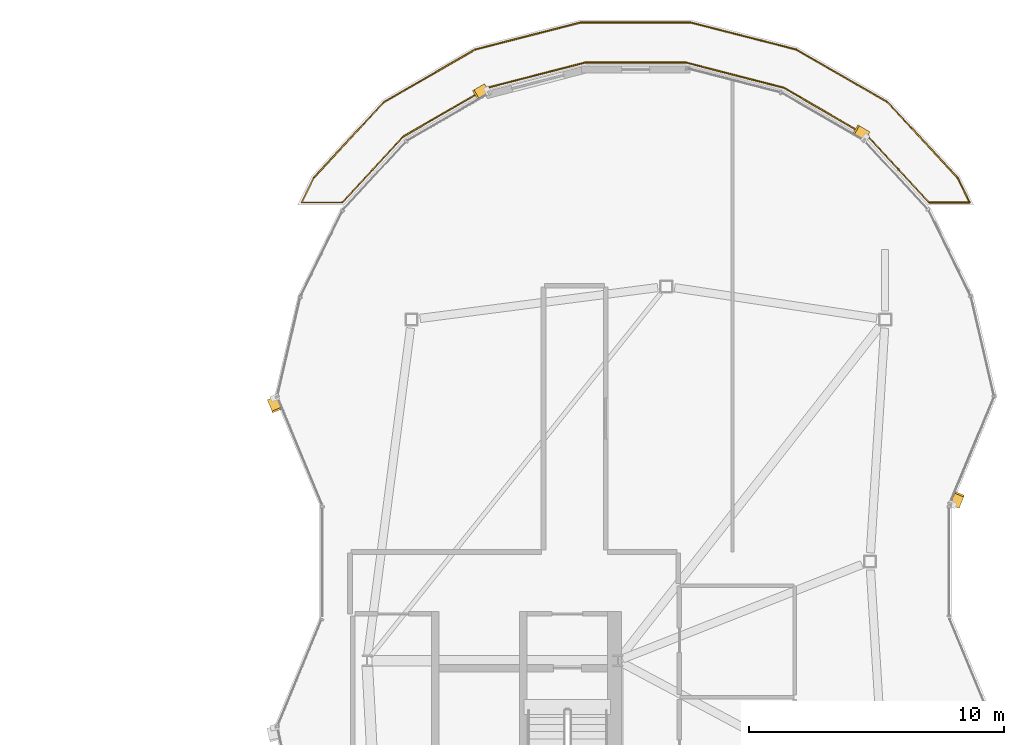
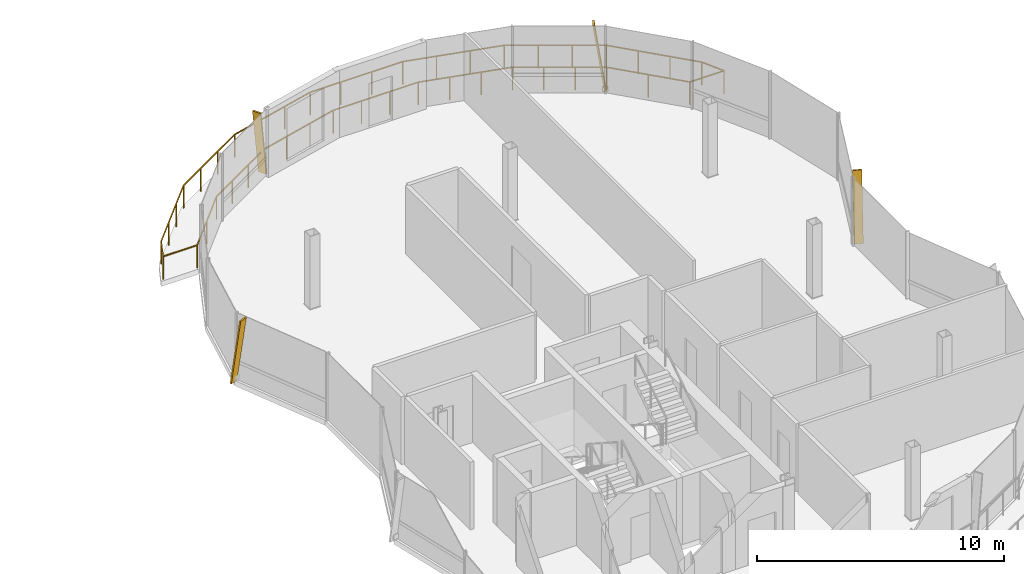
# One storey, part 20 of 20: 9 railings, 4 shading devices.
"""IFC4 building model written with IfcOpenShell, lengths in metres."""

from ifc_helpers import new_model, si_unit, direction, frame, origin, origin_2d, place, context, subcontext, project, spatial, rectangle, extrude, material, material_profile, profile_set, type_object, element, save


model = new_model("IFC4")

# Units and contexts
model_context = context("Model", 3, precision=1e-05, world=origin(), true_north=direction((0.0, 1.0)))
body_context = subcontext(model_context, "Body", "Model", "MODEL_VIEW")
ifc_project = project(units=[si_unit("LENGTHUNIT", "METRE"), si_unit("AREAUNIT", "SQUARE_METRE"), si_unit("VOLUMEUNIT", "CUBIC_METRE"), si_unit("PLANEANGLEUNIT", "RADIAN"), si_unit("MASSUNIT", "GRAM", prefix="KILO"), si_unit("THERMODYNAMICTEMPERATUREUNIT", "KELVIN"), si_unit("POWERUNIT", "WATT")], contexts=[model_context])

# Site, building, storey
site_placement = place(None, origin())
site = spatial("IfcSite", under=ifc_project, at=site_placement, CompositionType="ELEMENT")
building_placement = place(site_placement, origin())
building = spatial("IfcBuilding", under=site, at=building_placement, Name="Cundina Bronze Exchange", CompositionType="ELEMENT")
storey_placement = place(building_placement, frame((0.0, 0.0, 282.800048828125)))
storey = spatial("IfcBuildingStorey", under=building, at=storey_placement, Name="L75", CompositionType="ELEMENT", Elevation=282.800048828125)

# Railings
ifc_material_1 = material(Name="Heat-Strengthened Solar-Control Bronze Safety Glass 28mm", Category="glass")
railing_type = type_object("IfcRailingType", Name="RLG-BAL-1150", PredefinedType="BALUSTRADE", material=ifc_material_1)
railing_1_placement = place(storey_placement, frame((19.359375, 15.07470703125, 0.0)))
element("IfcRailing", 1, at=railing_1_placement, inside=storey, type_object=railing_type, Name="L75 Perimeter Safety Guardrail 01", PredefinedType="BALUSTRADE", context=body_context, shape_type="SweptSolid", body=[
    extrude(rectangle(XDim=0.048095703125, YDim=0.048095703125, at=origin_2d()), frame((0.0, 0.0, 1.1259765625), z_axis=(0.680478858048, 0.732767714729, 0.0), x_axis=(-0.732767714729, 0.680478858048, 0.0)), (0.0, 0.0, 1.0), 4.048095703125),
    extrude(rectangle(XDim=0.048095703125, YDim=0.048095703125, at=origin_2d()), frame((2.754638671875, 2.96630859375, 1.1259765625), z_axis=(0.866464594672, 0.499238526338, 0.0), x_axis=(-0.499238526338, 0.866464594672, 0.0)), (0.0, 0.0, 1.0), 4.13525390625),
    extrude(rectangle(XDim=0.0419921875, YDim=0.0419921875, at=origin_2d()), origin(), (0.0, 0.0, 1.0), 1.101806640625),
    extrude(rectangle(XDim=0.0419921875, YDim=0.0419921875, at=origin_2d()), frame((0.918212890625, 0.98876953125, 0.0)), (0.0, 0.0, 1.0), 1.101806640625),
    extrude(rectangle(XDim=0.0419921875, YDim=0.0419921875, at=origin_2d()), frame((1.83642578125, 1.9775390625, 0.0)), (0.0, 0.0, 1.0), 1.101806640625),
    extrude(rectangle(XDim=0.0419921875, YDim=0.0419921875, at=origin_2d()), frame((2.754638671875, 2.96630859375, 0.0)), (0.0, 0.0, 1.0), 1.101806640625),
    extrude(rectangle(XDim=0.0419921875, YDim=0.0419921875, at=origin_2d()), frame((3.948974609375, 3.654541015625, 0.0)), (0.0, 0.0, 1.0), 1.101806640625),
    extrude(rectangle(XDim=0.0419921875, YDim=0.0419921875, at=origin_2d()), frame((5.143310546875, 4.342529296875, 0.0)), (0.0, 0.0, 1.0), 1.101806640625),
    extrude(rectangle(XDim=0.0419921875, YDim=0.0419921875, at=origin_2d()), frame((6.337646484375, 5.03076171875, 0.0)), (0.0, 0.0, 1.0), 1.101806640625),
])
railing_2_placement = place(storey_placement, frame((25.697021484375, 20.10546875, 0.0)))
element("IfcRailing", 2, at=railing_2_placement, inside=storey, type_object=railing_type, Name="L75 Perimeter Safety Guardrail 02", PredefinedType="BALUSTRADE", context=body_context, shape_type="SweptSolid", body=[
    extrude(rectangle(XDim=0.048095703125, YDim=0.048095703125, at=origin_2d()), frame((0.0, 0.0, 1.1259765625), z_axis=(0.968741395097, 0.248072790578, 0.0), x_axis=(-0.248072790578, 0.968741395097, 0.0)), (0.0, 0.0, 1.0), 4.271240234375),
    extrude(rectangle(XDim=0.048095703125, YDim=0.048095703125, at=origin_2d()), frame((4.1376953125, 1.0595703125, 1.1259765625), z_axis=(1.0, 0.0, 0.0), x_axis=(0.0, 1.0, 0.0)), (0.0, 0.0, 1.0), 4.33056640625),
    extrude(rectangle(XDim=0.0419921875, YDim=0.0419921875, at=origin_2d()), origin(), (0.0, 0.0, 1.0), 1.101806640625),
    extrude(rectangle(XDim=0.0419921875, YDim=0.0419921875, at=origin_2d()), frame((1.379150390625, 0.353271484375, 0.0)), (0.0, 0.0, 1.0), 1.101806640625),
    extrude(rectangle(XDim=0.0419921875, YDim=0.0419921875, at=origin_2d()), frame((2.758544921875, 0.706298828125, 0.0)), (0.0, 0.0, 1.0), 1.101806640625),
    extrude(rectangle(XDim=0.0419921875, YDim=0.0419921875, at=origin_2d()), frame((4.1376953125, 1.0595703125, 0.0)), (0.0, 0.0, 1.0), 1.101806640625),
    extrude(rectangle(XDim=0.0419921875, YDim=0.0419921875, at=origin_2d()), frame((5.581298828125, 1.0595703125, 0.0)), (0.0, 0.0, 1.0), 1.101806640625),
    extrude(rectangle(XDim=0.0419921875, YDim=0.0419921875, at=origin_2d()), frame((7.024658203125, 1.0595703125, 0.0)), (0.0, 0.0, 1.0), 1.101806640625),
    extrude(rectangle(XDim=0.0419921875, YDim=0.0419921875, at=origin_2d()), frame((8.46826171875, 1.0595703125, 0.0)), (0.0, 0.0, 1.0), 1.101806640625),
])
railing_3_placement = place(storey_placement, frame((34.165283203125, 21.1650390625, 0.0)))
element("IfcRailing", 3, at=railing_3_placement, inside=storey, type_object=railing_type, Name="L75 Perimeter Safety Guardrail 03", PredefinedType="BALUSTRADE", context=body_context, shape_type="SweptSolid", body=[
    extrude(rectangle(XDim=0.048095703125, YDim=0.048095703125, at=origin_2d()), frame((0.0, 0.0, 1.1259765625), z_axis=(0.968741395097, -0.248072790578, 0.0), x_axis=(0.248072790578, 0.968741395097, 0.0)), (0.0, 0.0, 1.0), 4.271240234375),
    extrude(rectangle(XDim=0.048095703125, YDim=0.048095703125, at=origin_2d()), frame((4.1376953125, -1.0595703125, 1.1259765625), z_axis=(0.866464594672, -0.499238526338, 0.0), x_axis=(0.499238526338, 0.866464594672, 0.0)), (0.0, 0.0, 1.0), 4.13525390625),
    extrude(rectangle(XDim=0.0419921875, YDim=0.0419921875, at=origin_2d()), origin(), (0.0, 0.0, 1.0), 1.101806640625),
    extrude(rectangle(XDim=0.0419921875, YDim=0.0419921875, at=origin_2d()), frame((1.379150390625, -0.353271484375, 0.0)), (0.0, 0.0, 1.0), 1.101806640625),
    extrude(rectangle(XDim=0.0419921875, YDim=0.0419921875, at=origin_2d()), frame((2.758544921875, -0.706298828125, 0.0)), (0.0, 0.0, 1.0), 1.101806640625),
    extrude(rectangle(XDim=0.0419921875, YDim=0.0419921875, at=origin_2d()), frame((4.1376953125, -1.0595703125, 0.0)), (0.0, 0.0, 1.0), 1.101806640625),
    extrude(rectangle(XDim=0.0419921875, YDim=0.0419921875, at=origin_2d()), frame((5.33203125, -1.747802734375, 0.0)), (0.0, 0.0, 1.0), 1.101806640625),
    extrude(rectangle(XDim=0.0419921875, YDim=0.0419921875, at=origin_2d()), frame((6.5263671875, -2.435791015625, 0.0)), (0.0, 0.0, 1.0), 1.101806640625),
    extrude(rectangle(XDim=0.0419921875, YDim=0.0419921875, at=origin_2d()), frame((7.720703125, -3.1240234375, 0.0)), (0.0, 0.0, 1.0), 1.101806640625),
])
railing_4_placement = place(storey_placement, frame((41.885986328125, 18.041015625, 0.0)))
element("IfcRailing", 4, at=railing_4_placement, inside=storey, type_object=railing_type, Name="L75 Perimeter Safety Guardrail 04", PredefinedType="BALUSTRADE", context=body_context, shape_type="SweptSolid", body=[
    extrude(rectangle(XDim=0.048095703125, YDim=0.048095703125, at=origin_2d()), frame((0.0, 0.0, 1.1259765625), z_axis=(0.680478858048, -0.732767714729, 0.0), x_axis=(0.732767714729, 0.680478858048, 0.0)), (0.0, 0.0, 1.0), 4.048095703125),
    extrude(rectangle(XDim=0.048095703125, YDim=0.048095703125, at=origin_2d()), frame((2.754638671875, -2.96630859375, 1.1259765625), z_axis=(0.43927470941, -0.898352786868, 0.0), x_axis=(0.898352786868, 0.43927470941, 0.0)), (0.0, 0.0, 1.0), 1.0849609375),
    extrude(rectangle(XDim=0.0419921875, YDim=0.0419921875, at=origin_2d()), origin(), (0.0, 0.0, 1.0), 1.101806640625),
    extrude(rectangle(XDim=0.0419921875, YDim=0.0419921875, at=origin_2d()), frame((0.918212890625, -0.98876953125, 0.0)), (0.0, 0.0, 1.0), 1.101806640625),
    extrude(rectangle(XDim=0.0419921875, YDim=0.0419921875, at=origin_2d()), frame((1.83642578125, -1.9775390625, 0.0)), (0.0, 0.0, 1.0), 1.101806640625),
    extrude(rectangle(XDim=0.0419921875, YDim=0.0419921875, at=origin_2d()), frame((2.754638671875, -2.96630859375, 0.0)), (0.0, 0.0, 1.0), 1.101806640625),
    extrude(rectangle(XDim=0.0419921875, YDim=0.0419921875, at=origin_2d()), frame((3.231201171875, -3.94091796875, 0.0)), (0.0, 0.0, 1.0), 1.101806640625),
])
railing_5_placement = place(storey_placement, frame((45.1171875, 14.10009765625, 0.0)))
element("IfcRailing", 5, at=railing_5_placement, inside=storey, type_object=railing_type, Name="L75 Perimeter Safety Guardrail 05", PredefinedType="BALUSTRADE", context=body_context, shape_type="SweptSolid", body=[
    extrude(rectangle(XDim=0.048095703125, YDim=0.048095703125, at=origin_2d()), frame((0.0, 0.0, 1.1259765625), z_axis=(-1.0, 0.0, 0.0), x_axis=(0.0, -1.0, 0.0)), (0.0, 0.0, 1.0), 1.595458984375),
    extrude(rectangle(XDim=0.048095703125, YDim=0.048095703125, at=origin_2d()), frame((-1.595458984375, 0.0, 1.1259765625), z_axis=(-0.679395599719, 0.733772184729, 0.0), x_axis=(-0.733772184729, -0.679395599719, 0.0)), (0.0, 0.0, 1.0), 3.5244140625),
    extrude(rectangle(XDim=0.0419921875, YDim=0.0419921875, at=origin_2d()), origin(), (0.0, 0.0, 1.0), 1.101806640625),
    extrude(rectangle(XDim=0.0419921875, YDim=0.0419921875, at=origin_2d()), frame((-1.595458984375, 0.0, 0.0)), (0.0, 0.0, 1.0), 1.101806640625),
    extrude(rectangle(XDim=0.0419921875, YDim=0.0419921875, at=origin_2d()), frame((-2.792724609375, 1.29296875, 0.0)), (0.0, 0.0, 1.0), 1.101806640625),
    extrude(rectangle(XDim=0.0419921875, YDim=0.0419921875, at=origin_2d()), frame((-3.989990234375, 2.586181640625, 0.0)), (0.0, 0.0, 1.0), 1.101806640625),
])
railing_6_placement = place(storey_placement, frame((41.127197265625, 16.686279296875, 0.0)))
element("IfcRailing", 6, at=railing_6_placement, inside=storey, type_object=railing_type, Name="L75 Perimeter Safety Guardrail 06", PredefinedType="BALUSTRADE", context=body_context, shape_type="SweptSolid", body=[
    extrude(rectangle(XDim=0.048095703125, YDim=0.048095703125, at=origin_2d()), frame((0.0, 0.0, 1.1259765625), z_axis=(-0.86517535854, 0.501469439721, 0.0), x_axis=(-0.501469439721, -0.86517535854, 0.0)), (0.0, 0.0, 1.0), 3.82080078125),
    extrude(rectangle(XDim=0.048095703125, YDim=0.048095703125, at=origin_2d()), frame((-3.3056640625, 1.916015625, 1.1259765625), z_axis=(-0.968310500269, 0.249749424563, 0.0), x_axis=(-0.249749424563, -0.968310500269, 0.0)), (0.0, 0.0, 1.0), 3.9619140625),
    extrude(rectangle(XDim=0.0419921875, YDim=0.0419921875, at=origin_2d()), origin(), (0.0, 0.0, 1.0), 1.101806640625),
    extrude(rectangle(XDim=0.0419921875, YDim=0.0419921875, at=origin_2d()), frame((-1.101806640625, 0.638671875, 0.0)), (0.0, 0.0, 1.0), 1.101806640625),
    extrude(rectangle(XDim=0.0419921875, YDim=0.0419921875, at=origin_2d()), frame((-2.203857421875, 1.27734375, 0.0)), (0.0, 0.0, 1.0), 1.101806640625),
    extrude(rectangle(XDim=0.0419921875, YDim=0.0419921875, at=origin_2d()), frame((-3.3056640625, 1.916015625, 0.0)), (0.0, 0.0, 1.0), 1.101806640625),
    extrude(rectangle(XDim=0.0419921875, YDim=0.0419921875, at=origin_2d()), frame((-4.58447265625, 2.245849609375, 0.0)), (0.0, 0.0, 1.0), 1.101806640625),
    extrude(rectangle(XDim=0.0419921875, YDim=0.0419921875, at=origin_2d()), frame((-5.86328125, 2.57568359375, 0.0)), (0.0, 0.0, 1.0), 1.101806640625),
    extrude(rectangle(XDim=0.0419921875, YDim=0.0419921875, at=origin_2d()), frame((-7.14208984375, 2.905517578125, 0.0)), (0.0, 0.0, 1.0), 1.101806640625),
])
railing_7_placement = place(storey_placement, frame((33.985107421875, 19.591796875, 0.0)))
element("IfcRailing", 7, at=railing_7_placement, inside=storey, type_object=railing_type, Name="L75 Perimeter Safety Guardrail 07", PredefinedType="BALUSTRADE", context=body_context, shape_type="SweptSolid", body=[
    extrude(rectangle(XDim=0.048095703125, YDim=0.048095703125, at=origin_2d()), frame((0.0, 0.0, 1.1259765625), z_axis=(-0.999999992474, -0.000122684332, 0.0), x_axis=(0.000122684332, -0.999999992474, 0.0)), (0.0, 0.0, 1.0), 3.97998046875),
    extrude(rectangle(XDim=0.048095703125, YDim=0.048095703125, at=origin_2d()), frame((-3.97998046875, -0.00048828125, 1.1259765625), z_axis=(-0.968349470457, -0.249598283379, 0.0), x_axis=(0.249598283379, -0.968349470457, 0.0)), (0.0, 0.0, 1.0), 3.93310546875),
    extrude(rectangle(XDim=0.0419921875, YDim=0.0419921875, at=origin_2d()), origin(), (0.0, 0.0, 1.0), 1.101806640625),
    extrude(rectangle(XDim=0.0419921875, YDim=0.0419921875, at=origin_2d()), frame((-1.32666015625, -0.000244140625, 0.0)), (0.0, 0.0, 1.0), 1.101806640625),
    extrude(rectangle(XDim=0.0419921875, YDim=0.0419921875, at=origin_2d()), frame((-2.6533203125, -0.000244140625, 0.0)), (0.0, 0.0, 1.0), 1.101806640625),
    extrude(rectangle(XDim=0.0419921875, YDim=0.0419921875, at=origin_2d()), frame((-3.97998046875, -0.00048828125, 0.0)), (0.0, 0.0, 1.0), 1.101806640625),
    extrude(rectangle(XDim=0.0419921875, YDim=0.0419921875, at=origin_2d()), frame((-5.24951171875, -0.32763671875, 0.0)), (0.0, 0.0, 1.0), 1.101806640625),
    extrude(rectangle(XDim=0.0419921875, YDim=0.0419921875, at=origin_2d()), frame((-6.51904296875, -0.655029296875, 0.0)), (0.0, 0.0, 1.0), 1.101806640625),
    extrude(rectangle(XDim=0.0419921875, YDim=0.0419921875, at=origin_2d()), frame((-7.78857421875, -0.982177734375, 0.0)), (0.0, 0.0, 1.0), 1.101806640625),
])
railing_8_placement = place(storey_placement, frame((26.196533203125, 18.609619140625, 0.0)))
element("IfcRailing", 8, at=railing_8_placement, inside=storey, type_object=railing_type, Name="L75 Perimeter Safety Guardrail 08", PredefinedType="BALUSTRADE", context=body_context, shape_type="SweptSolid", body=[
    extrude(rectangle(XDim=0.048095703125, YDim=0.048095703125, at=origin_2d()), frame((0.0, 0.0, 1.1259765625), z_axis=(-0.865530732652, -0.50085581841, 0.0), x_axis=(0.50085581841, -0.865530732652, 0.0)), (0.0, 0.0, 1.0), 3.840087890625),
    extrude(rectangle(XDim=0.048095703125, YDim=0.048095703125, at=origin_2d()), frame((-3.32373046875, -1.92333984375, 1.1259765625), z_axis=(-0.679395599719, -0.733772184729, 0.0), x_axis=(0.733772184729, -0.679395599719, 0.0)), (0.0, 0.0, 1.0), 3.5244140625),
    extrude(rectangle(XDim=0.0419921875, YDim=0.0419921875, at=origin_2d()), origin(), (0.0, 0.0, 1.0), 1.101806640625),
    extrude(rectangle(XDim=0.0419921875, YDim=0.0419921875, at=origin_2d()), frame((-1.10791015625, -0.64111328125, 0.0)), (0.0, 0.0, 1.0), 1.101806640625),
    extrude(rectangle(XDim=0.0419921875, YDim=0.0419921875, at=origin_2d()), frame((-2.2158203125, -1.2822265625, 0.0)), (0.0, 0.0, 1.0), 1.101806640625),
    extrude(rectangle(XDim=0.0419921875, YDim=0.0419921875, at=origin_2d()), frame((-3.32373046875, -1.92333984375, 0.0)), (0.0, 0.0, 1.0), 1.101806640625),
    extrude(rectangle(XDim=0.0419921875, YDim=0.0419921875, at=origin_2d()), frame((-4.52099609375, -3.21630859375, 0.0)), (0.0, 0.0, 1.0), 1.101806640625),
    extrude(rectangle(XDim=0.0419921875, YDim=0.0419921875, at=origin_2d()), frame((-5.71826171875, -4.509521484375, 0.0)), (0.0, 0.0, 1.0), 1.101806640625),
])
railing_9_placement = place(storey_placement, frame((20.478271484375, 14.10009765625, 0.0)))
element("IfcRailing", 9, at=railing_9_placement, inside=storey, type_object=railing_type, Name="L75 Perimeter Safety Guardrail 09", PredefinedType="BALUSTRADE", context=body_context, shape_type="SweptSolid", body=[
    extrude(rectangle(XDim=0.048095703125, YDim=0.048095703125, at=origin_2d()), frame((0.0, 0.0, 1.1259765625), z_axis=(-1.0, 0.0, 0.0), x_axis=(0.0, -1.0, 0.0)), (0.0, 0.0, 1.0), 1.595458984375),
    extrude(rectangle(XDim=0.048095703125, YDim=0.048095703125, at=origin_2d()), frame((-1.595458984375, 0.0, 1.1259765625), z_axis=(0.43927470941, 0.898352786868, 0.0), x_axis=(-0.898352786868, 0.43927470941, 0.0)), (0.0, 0.0, 1.0), 1.0849609375),
    extrude(rectangle(XDim=0.0419921875, YDim=0.0419921875, at=origin_2d()), origin(), (0.0, 0.0, 1.0), 1.101806640625),
    extrude(rectangle(XDim=0.0419921875, YDim=0.0419921875, at=origin_2d()), frame((-1.595458984375, 0.0, 0.0)), (0.0, 0.0, 1.0), 1.101806640625),
    extrude(rectangle(XDim=0.0419921875, YDim=0.0419921875, at=origin_2d()), frame((-1.118896484375, 0.974609375, 0.0)), (0.0, 0.0, 1.0), 1.101806640625),
])

# Shading devices
ifc_material_2 = material(Name="Anodised Bronze Aluminium 6063-T6", Category="aluminium")
ifc_material_profile = material_profile(ifc_material_2, rectangle(XDim=0.070068359375, YDim=0.3798828125, at=origin_2d()), Name="FIN70X380", Category="aluminium")
ifc_profile_set = profile_set([ifc_material_profile], Name="Anodised Bronze Aluminium 6063-T6")
shading_device_type = type_object("IfcShadingDeviceType", Name="SHD-FIN-BRZ380", PredefinedType="USERDEFINED", material=ifc_profile_set)
for number, where, z_axis, x_axis, name in (
    (10, (44.538330078125, 2.19091796875, 0.02001953125), (0.055200069326, 0.133021917727, 0.989574717619), (-0.379283695566, -0.914003282285, 0.144020409142), "L75 Diagonal Bronze Solar Fin 1"),
    (11, (41.076904296875, 16.72265625, 0.02001953125), (-0.124531070422, 0.072185558752, 0.989586407348), (0.856149775552, -0.496274943383, 0.14394006528), "L75 Diagonal Bronze Solar Fin 5"),
    (12, (26.131591796875, 18.5810546875, 0.02001953125), (-0.124531728208, -0.072112729151, 0.989591634445), (0.856372650345, 0.495900682299, 0.143904124458), "L75 Diagonal Bronze Solar Fin 1"),
    (13, (17.7216796875, 6.385009765625, 0.02001953125), (0.055127619035, -0.1329505394, 0.989588348604), (-0.37903768001, 0.914120088842, 0.143926718531), "L75 Diagonal Bronze Solar Fin 5"),
):
    element("IfcShadingDevice", number, at=place(storey_placement, frame(where, z_axis=z_axis, x_axis=x_axis)), inside=storey, type_object=shading_device_type, Name=name, ObjectType="FIN", PredefinedType="USERDEFINED", context=body_context, shape_type="SweptSolid", body=[
        extrude(rectangle(XDim=0.070068359375, YDim=0.3798828125, at=origin_2d()), origin(), (0.0, 0.0, 1.0), 3.334716796875),
    ])

save(model, "model.ifc")
